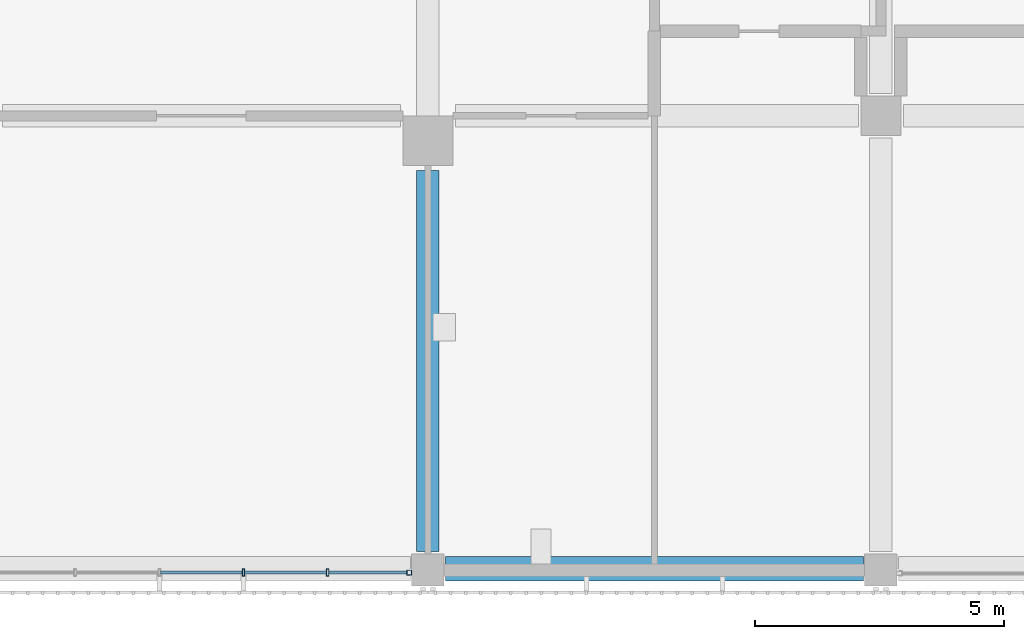
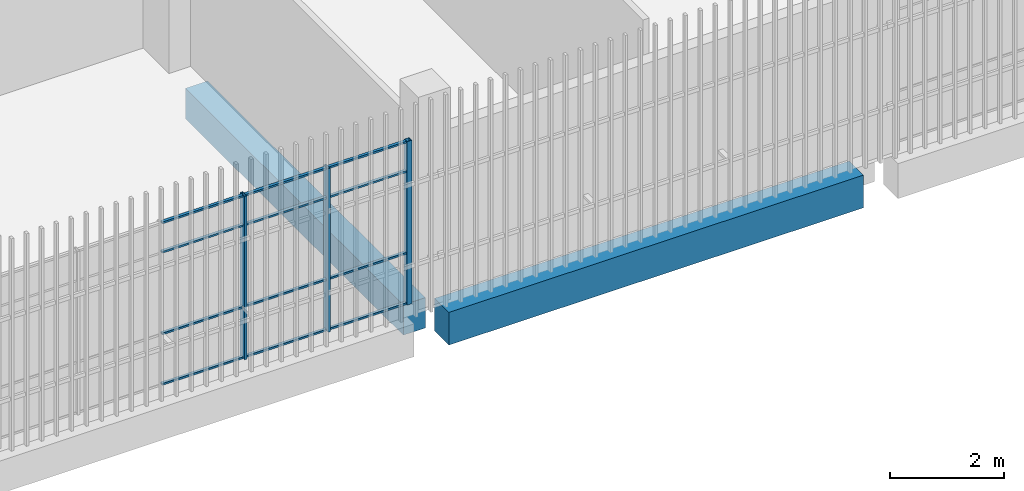
# One storey, part 22 of 126: 15 members, 2 beams, 1 element without a shape of its own.
"""IFC4 building model written with IfcOpenShell, lengths in metres."""

from ifc_helpers import new_model, si_unit, direction, frame, origin, origin_2d, place, context, subcontext, project, spatial, rectangle, hollow_rectangle, extrude, material, layer, layer_set, material_profile, profile_set, type_object, element, aggregate, save


model = new_model("IFC4")

# Units and contexts
model_context = context("Model", 3, precision=1e-05, world=origin(), true_north=direction((0.0, 1.0)))
body_context = subcontext(model_context, "Body", "Model", "MODEL_VIEW")
ifc_project = project(units=[si_unit("LENGTHUNIT", "METRE"), si_unit("AREAUNIT", "SQUARE_METRE"), si_unit("VOLUMEUNIT", "CUBIC_METRE"), si_unit("PLANEANGLEUNIT", "RADIAN"), si_unit("MASSUNIT", "GRAM", prefix="KILO")], contexts=[model_context])

# Site, building, storey
site_placement = place(None, origin())
site = spatial("IfcSite", under=ifc_project, at=site_placement, CompositionType="ELEMENT")
building_placement = place(site_placement, origin())
building = spatial("IfcBuilding", under=site, at=building_placement, Name="Shirokan Park Arena", CompositionType="ELEMENT")
storey_placement = place(building_placement, frame((0.0, 0.0, 6.3701171875)))
storey = spatial("IfcBuildingStorey", under=building, at=storey_placement, Name="L01", CompositionType="ELEMENT", Elevation=6.3701171875)

# Curtain wall, members
ifc_material_1 = material(Name="Steel and glass curtain wall", Category="steel")
ifc_layer = layer(ifc_material_1, 0.14990234375)
ifc_layer_set = layer_set([ifc_layer], Name="Steel and glass curtain wall 150 mm")
curtain_wall_type = type_object("IfcCurtainWallType", Name="Curtain wall exposed bay 150", PredefinedType="NOTDEFINED", material=ifc_layer_set)
curtain_wall_placement = place(storey_placement, origin())
curtain_wall = element("IfcCurtainWall", 1, at=curtain_wall_placement, inside=storey, type_object=curtain_wall_type, Name="Curtain wall south bay 11 L01", PredefinedType="NOTDEFINED")
ifc_material_2 = material(Name="Steel S355", Category="steel")
ifc_material_profile_1 = material_profile(ifc_material_2, hollow_rectangle(XDim=0.10009765625, YDim=0.10009765625, WallThickness=0.006103515625, at=origin_2d()), Name="RHS 100x100x6")
ifc_profile_set_1 = profile_set([ifc_material_profile_1], Name="Steel S355")
member_type_1 = type_object("IfcMemberType", Name="Mullion RHS 100x100x6", PredefinedType="MULLION", material=ifc_profile_set_1)
member_1_placement = place(storey_placement, frame((99.72509765625, -0.074951171875, 0.0), z_axis=(0.0, 0.0, 1.0), x_axis=(0.0, 1.0, 0.0)))
member_1 = element("IfcMember", 2, at=member_1_placement, type_object=member_type_1, Name="CW1 mullion 6", PredefinedType="MULLION", context=body_context, shape_type="SweptSolid", body=[
    extrude(hollow_rectangle(XDim=0.10009765625, YDim=0.10009765625, WallThickness=0.006103515625, at=origin_2d()), origin(), (0.0, 0.0, 1.0), 3.5),
])
ifc_material_profile_2 = material_profile(ifc_material_2, hollow_rectangle(XDim=0.14990234375, YDim=0.050048828125, WallThickness=0.006103515625, at=origin_2d()), Name="RHS 150x50x6")
ifc_profile_set_2 = profile_set([ifc_material_profile_2], Name="Steel S355")
member_type_2 = type_object("IfcMemberType", Name="Mullion RHS 150x50x6", PredefinedType="MULLION", material=ifc_profile_set_2)
member_2_placement = place(storey_placement, frame((96.39501953125, -0.074951171875, 0.0), z_axis=(0.0, 0.0, 1.0), x_axis=(0.0, 1.0, 0.0)))
member_2 = element("IfcMember", 3, at=member_2_placement, type_object=member_type_2, Name="CW1 mullion 4", PredefinedType="MULLION", context=body_context, shape_type="SweptSolid", body=[
    extrude(hollow_rectangle(XDim=0.14990234375, YDim=0.050048828125, WallThickness=0.006103515625, at=origin_2d()), origin(), (0.0, 0.0, 1.0), 3.5),
])
member_3_placement = place(storey_placement, frame((98.0849609375, -0.074951171875, 0.0), z_axis=(0.0, 0.0, 1.0), x_axis=(0.0, 1.0, 0.0)))
member_3 = element("IfcMember", 4, at=member_3_placement, type_object=member_type_2, Name="CW1 mullion 5", PredefinedType="MULLION", context=body_context, shape_type="SweptSolid", body=[
    extrude(hollow_rectangle(XDim=0.14990234375, YDim=0.050048828125, WallThickness=0.006103515625, at=origin_2d()), origin(), (0.0, 0.0, 1.0), 3.5),
])

# Beams
ifc_material_3 = material(Name="Concrete C35", Category="concrete")
ifc_material_profile_3 = material_profile(ifc_material_3, rectangle(XDim=0.449951171875, YDim=0.64990234375, at=origin_2d()), Name="450x650")
ifc_profile_set_3 = profile_set([ifc_material_profile_3], Name="Concrete C35")
beam_type_1 = type_object("IfcBeamType", Name="RC girder 450x650", PredefinedType="BEAM", material=ifc_profile_set_3)
beam_1_placement = place(storey_placement, frame((100.10009765625, 0.35009765625, -0.675048828125), z_axis=(0.0, 1.0, 0.0), x_axis=(-1.0, 0.0, 0.0)))
element("IfcBeam", 5, at=beam_1_placement, inside=storey, type_object=beam_type_1, Name="Girder 12A-12B L01", PredefinedType="BEAM", context=body_context, shape_type="SweptSolid", body=[
    extrude(rectangle(XDim=0.449951171875, YDim=0.64990234375, at=origin_2d()), origin(), (0.0, 0.0, 1.0), 7.64990234375),
])
ifc_material_profile_4 = material_profile(ifc_material_3, rectangle(XDim=0.5, YDim=0.699951171875, at=origin_2d()), Name="500x700")
ifc_profile_set_4 = profile_set([ifc_material_profile_4], Name="Concrete C35")
beam_type_2 = type_object("IfcBeamType", Name="RC girder 500x700", PredefinedType="BEAM", material=ifc_profile_set_4)
beam_2_placement = place(storey_placement, frame((100.4501953125, 0.0, -0.7001953125), z_axis=(1.0, 0.0, 0.0), x_axis=(0.0, 1.0, 0.0)))
element("IfcBeam", 6, at=beam_2_placement, inside=storey, type_object=beam_type_2, Name="Girder 12A-13A L01", PredefinedType="BEAM", context=body_context, shape_type="SweptSolid", body=[
    extrude(rectangle(XDim=0.5, YDim=0.699951171875, at=origin_2d()), origin(), (0.0, 0.0, 1.0), 8.399658203125),
])

# Member
ifc_material_profile_5 = material_profile(ifc_material_2, hollow_rectangle(XDim=0.06005859375, YDim=0.0400390625, WallThickness=0.00390625, at=origin_2d()), Name="RHS 60x40x4")
ifc_profile_set_5 = profile_set([ifc_material_profile_5], Name="Steel S355")
member_type_3 = type_object("IfcMemberType", Name="Transom RHS 60x40x4", PredefinedType="MULLION", material=ifc_profile_set_5)
member_4_placement = place(storey_placement, frame((94.72998046875, -0.074951171875, 0.019775390625), z_axis=(1.0, 0.0, 0.0), x_axis=(0.0, 1.0, 0.0)))
member_4 = element("IfcMember", 7, at=member_4_placement, type_object=member_type_3, Name="CW1 transom 3.1", PredefinedType="MULLION", context=body_context, shape_type="SweptSolid", body=[
    extrude(hollow_rectangle(XDim=0.06005859375, YDim=0.0400390625, WallThickness=0.00390625, at=origin_2d()), origin(), (0.0, 0.0, 1.0), 1.64013671875),
])

member_5_placement = place(storey_placement, frame((94.72998046875, -0.074951171875, 1.099853515625), z_axis=(1.0, 0.0, 0.0), x_axis=(0.0, 1.0, 0.0)))
member_5 = element("IfcMember", 8, at=member_5_placement, type_object=member_type_3, Name="CW1 transom 3.2", PredefinedType="MULLION", context=body_context, shape_type="SweptSolid", body=[
    extrude(hollow_rectangle(XDim=0.06005859375, YDim=0.0400390625, WallThickness=0.00390625, at=origin_2d()), origin(), (0.0, 0.0, 1.0), 1.64013671875),
])

member_6_placement = place(storey_placement, frame((94.72998046875, -0.074951171875, 2.849853515625), z_axis=(1.0, 0.0, 0.0), x_axis=(0.0, 1.0, 0.0)))
member_6 = element("IfcMember", 9, at=member_6_placement, type_object=member_type_3, Name="CW1 transom 3.3", PredefinedType="MULLION", context=body_context, shape_type="SweptSolid", body=[
    extrude(hollow_rectangle(XDim=0.06005859375, YDim=0.0400390625, WallThickness=0.00390625, at=origin_2d()), origin(), (0.0, 0.0, 1.0), 1.64013671875),
])

member_7_placement = place(storey_placement, frame((94.72998046875, -0.074951171875, 3.47998046875), z_axis=(1.0, 0.0, 0.0), x_axis=(0.0, 1.0, 0.0)))
member_7 = element("IfcMember", 10, at=member_7_placement, type_object=member_type_3, Name="CW1 transom 3.4", PredefinedType="MULLION", context=body_context, shape_type="SweptSolid", body=[
    extrude(hollow_rectangle(XDim=0.06005859375, YDim=0.0400390625, WallThickness=0.00390625, at=origin_2d()), origin(), (0.0, 0.0, 1.0), 1.64013671875),
])

member_8_placement = place(storey_placement, frame((96.419921875, -0.074951171875, 0.019775390625), z_axis=(1.0, 0.0, 0.0), x_axis=(0.0, 1.0, 0.0)))
member_8 = element("IfcMember", 11, at=member_8_placement, type_object=member_type_3, Name="CW1 transom 4.1", PredefinedType="MULLION", context=body_context, shape_type="SweptSolid", body=[
    extrude(hollow_rectangle(XDim=0.06005859375, YDim=0.0400390625, WallThickness=0.00390625, at=origin_2d()), origin(), (0.0, 0.0, 1.0), 1.64013671875),
])

member_9_placement = place(storey_placement, frame((96.419921875, -0.074951171875, 1.099853515625), z_axis=(1.0, 0.0, 0.0), x_axis=(0.0, 1.0, 0.0)))
member_9 = element("IfcMember", 12, at=member_9_placement, type_object=member_type_3, Name="CW1 transom 4.2", PredefinedType="MULLION", context=body_context, shape_type="SweptSolid", body=[
    extrude(hollow_rectangle(XDim=0.06005859375, YDim=0.0400390625, WallThickness=0.00390625, at=origin_2d()), origin(), (0.0, 0.0, 1.0), 1.64013671875),
])

member_10_placement = place(storey_placement, frame((96.419921875, -0.074951171875, 2.849853515625), z_axis=(1.0, 0.0, 0.0), x_axis=(0.0, 1.0, 0.0)))
member_10 = element("IfcMember", 13, at=member_10_placement, type_object=member_type_3, Name="CW1 transom 4.3", PredefinedType="MULLION", context=body_context, shape_type="SweptSolid", body=[
    extrude(hollow_rectangle(XDim=0.06005859375, YDim=0.0400390625, WallThickness=0.00390625, at=origin_2d()), origin(), (0.0, 0.0, 1.0), 1.64013671875),
])

member_11_placement = place(storey_placement, frame((96.419921875, -0.074951171875, 3.47998046875), z_axis=(1.0, 0.0, 0.0), x_axis=(0.0, 1.0, 0.0)))
member_11 = element("IfcMember", 14, at=member_11_placement, type_object=member_type_3, Name="CW1 transom 4.4", PredefinedType="MULLION", context=body_context, shape_type="SweptSolid", body=[
    extrude(hollow_rectangle(XDim=0.06005859375, YDim=0.0400390625, WallThickness=0.00390625, at=origin_2d()), origin(), (0.0, 0.0, 1.0), 1.64013671875),
])

member_12_placement = place(storey_placement, frame((98.110107421875, -0.074951171875, 0.019775390625), z_axis=(1.0, 0.0, 0.0), x_axis=(0.0, 1.0, 0.0)))
member_12 = element("IfcMember", 15, at=member_12_placement, type_object=member_type_3, Name="CW1 transom 5.1", PredefinedType="MULLION", context=body_context, shape_type="SweptSolid", body=[
    extrude(hollow_rectangle(XDim=0.06005859375, YDim=0.0400390625, WallThickness=0.00390625, at=origin_2d()), origin(), (0.0, 0.0, 1.0), 1.56494140625),
])

member_13_placement = place(storey_placement, frame((98.110107421875, -0.074951171875, 1.099853515625), z_axis=(1.0, 0.0, 0.0), x_axis=(0.0, 1.0, 0.0)))
member_13 = element("IfcMember", 16, at=member_13_placement, type_object=member_type_3, Name="CW1 transom 5.2", PredefinedType="MULLION", context=body_context, shape_type="SweptSolid", body=[
    extrude(hollow_rectangle(XDim=0.06005859375, YDim=0.0400390625, WallThickness=0.00390625, at=origin_2d()), origin(), (0.0, 0.0, 1.0), 1.56494140625),
])

member_14_placement = place(storey_placement, frame((98.110107421875, -0.074951171875, 2.849853515625), z_axis=(1.0, 0.0, 0.0), x_axis=(0.0, 1.0, 0.0)))
member_14 = element("IfcMember", 17, at=member_14_placement, type_object=member_type_3, Name="CW1 transom 5.3", PredefinedType="MULLION", context=body_context, shape_type="SweptSolid", body=[
    extrude(hollow_rectangle(XDim=0.06005859375, YDim=0.0400390625, WallThickness=0.00390625, at=origin_2d()), origin(), (0.0, 0.0, 1.0), 1.56494140625),
])

member_15_placement = place(storey_placement, frame((98.110107421875, -0.074951171875, 3.47998046875), z_axis=(1.0, 0.0, 0.0), x_axis=(0.0, 1.0, 0.0)))
member_15 = element("IfcMember", 18, at=member_15_placement, type_object=member_type_3, Name="CW1 transom 5.4", PredefinedType="MULLION", context=body_context, shape_type="SweptSolid", body=[
    extrude(hollow_rectangle(XDim=0.06005859375, YDim=0.0400390625, WallThickness=0.00390625, at=origin_2d()), origin(), (0.0, 0.0, 1.0), 1.56494140625),
])

aggregate(curtain_wall, [member_2, member_3, member_1, member_4, member_5, member_6, member_7, member_8, member_9, member_10, member_11, member_12, member_13, member_14, member_15])

save(model, "model.ifc")
